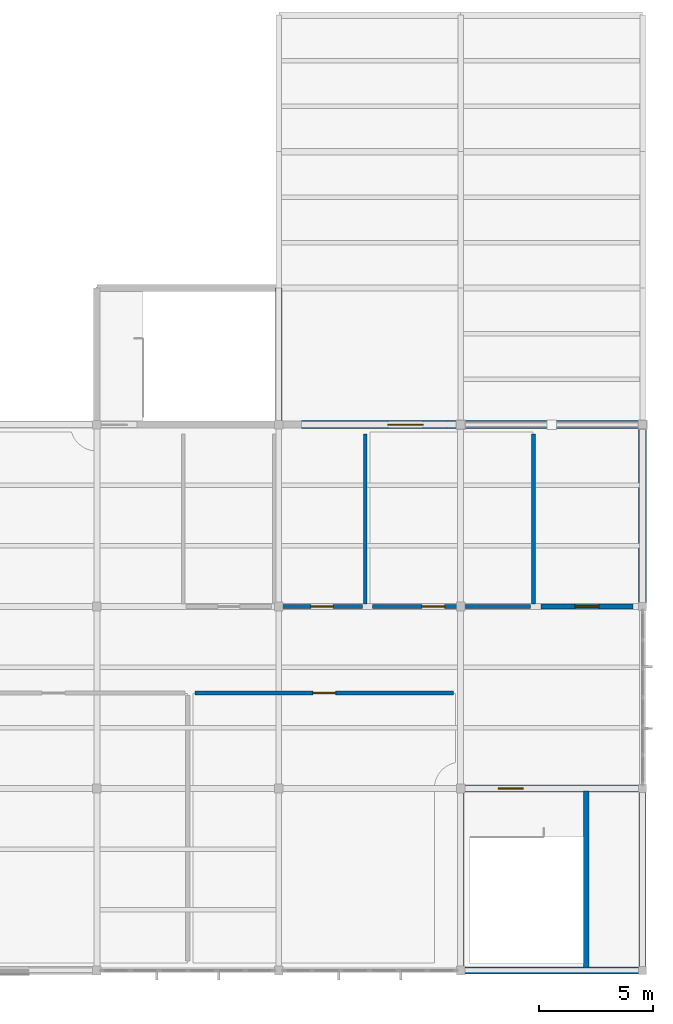
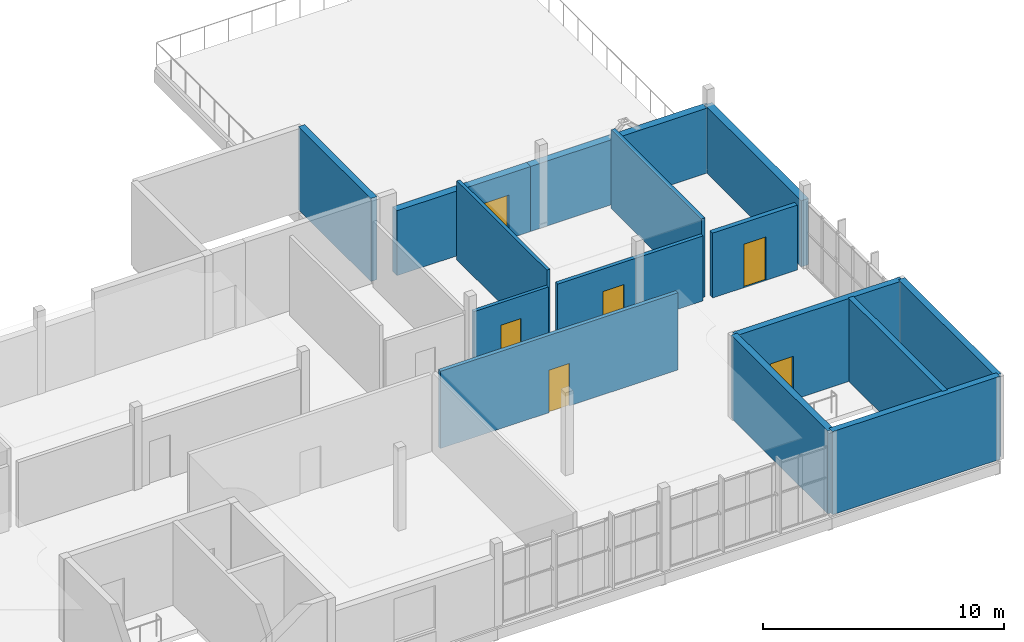
# One storey, part 10 of 15: 15 walls, 6 doors, 6 openings.
"""IFC4 building model written with IfcOpenShell, lengths in metres."""

import ifcopenshell
import ifcopenshell.guid

model = None  # the IFC model being written
_history = None  # IfcOwnerHistory: only IFC2X3 demands one
_inside = {}  # id of a spatial element -> (the spatial element, [elements in it])
_under = {}  # id of a project, library or spatial element -> (it, [spatial elements below it])
_declared = {}  # id of a project -> (the project, [libraries it declares])
_typed = {}  # id of a type object -> (the type object, [elements of that type])
_made_of = {}  # id of a material, layer set ... -> (it, [elements and type objects made of it])


def new_model(schema):
    """Start an empty IFC model of exactly this schema.

    Asked for "IFC4X3", IfcOpenShell would pick the latest addendum, in which some entities
    have other attributes; the version numbers below select the first issue.
    IFC2X3 requires an IfcOwnerHistory on every rooted entity: one is made here for all.
    """
    global model, _history
    if schema == "IFC4X3":
        model = ifcopenshell.file(schema_version=(4, 3, 0, 0))
    else:
        model = ifcopenshell.file(schema=schema)
    _inside.clear()
    _under.clear()
    _declared.clear()
    _typed.clear()
    _made_of.clear()
    _history = None
    if model.schema == "IFC2X3":
        org = make("IfcOrganization", Name="unknown")
        user = make(
            "IfcPersonAndOrganization",
            ThePerson=make("IfcPerson", FamilyName="unknown"),
            TheOrganization=org,
        )
        app = make(
            "IfcApplication",
            ApplicationDeveloper=org,
            Version="unknown",
            ApplicationFullName="unknown",
            ApplicationIdentifier="unknown",
        )
        _history = make(
            "IfcOwnerHistory",
            OwningUser=user,
            OwningApplication=app,
            ChangeAction="ADDED",
            CreationDate=0,
        )
    return model


def make(cls, **values):
    """One entity of the class cls with the attributes given. An attribute that is None is left unset."""
    return model.create_entity(
        cls, **{name: value for name, value in values.items() if value is not None}
    )


def rooted(cls, **values):
    """An entity with a GlobalId (a new one), such as an element, a storey or a relation."""
    return make(cls, GlobalId=ifcopenshell.guid.new(), OwnerHistory=_history, **values)


def si_unit(unit_type, name, prefix=None):
    """IfcSIUnit, for example si_unit("LENGTHUNIT", "METRE", prefix="MILLI")."""
    return make("IfcSIUnit", UnitType=unit_type, Prefix=prefix, Name=name)


def assignment(units):
    """IfcUnitAssignment: the units of a project."""
    return None if units is None else make("IfcUnitAssignment", Units=units)


def point(xyz):
    """IfcCartesianPoint."""
    return None if xyz is None else make("IfcCartesianPoint", Coordinates=xyz)


def direction(xyz):
    """IfcDirection."""
    return None if xyz is None else make("IfcDirection", DirectionRatios=xyz)


def frame(location, z_axis=None, x_axis=None):
    """IfcAxis2Placement3D, a coordinate frame: its origin and axes. An axis left out is left unset."""
    return make(
        "IfcAxis2Placement3D",
        Location=point(location),
        Axis=direction(z_axis),
        RefDirection=direction(x_axis),
    )


def frame_2d(location, x_axis=None):
    """IfcAxis2Placement2D, a coordinate frame in the plane: its origin and x axis."""
    return make(
        "IfcAxis2Placement2D", Location=point(location), RefDirection=direction(x_axis)
    )


def origin():
    """The frame at (0, 0, 0) with its axes left unset."""
    return frame((0.0, 0.0, 0.0))


def place(relative_to, where):
    """IfcLocalPlacement: puts the frame where relative to a parent placement (None: the world)."""
    return make(
        "IfcLocalPlacement", PlacementRelTo=relative_to, RelativePlacement=where
    )


def context(
    kind, dimensions, precision=None, world=None, true_north=None, identifier=None
):
    """IfcGeometricRepresentationContext, for example the 3D "Model" context."""
    return make(
        "IfcGeometricRepresentationContext",
        ContextIdentifier=identifier,
        ContextType=kind,
        CoordinateSpaceDimension=dimensions,
        Precision=precision,
        WorldCoordinateSystem=world,
        TrueNorth=true_north,
    )


def subcontext(parent, identifier, kind, view, scale=None):
    """IfcGeometricRepresentationSubContext, for example "Body" below "Model"."""
    return make(
        "IfcGeometricRepresentationSubContext",
        ContextIdentifier=identifier,
        ContextType=kind,
        ParentContext=parent,
        TargetScale=scale,
        TargetView=view,
    )


def project(units=None, contexts=None):
    """IfcProject with its units and contexts."""
    return rooted(
        "IfcProject",
        Name="project",
        RepresentationContexts=contexts,
        UnitsInContext=assignment(units),
    )


def spatial(cls, under=None, at=None, **own):
    """A site, building, storey or space (cls), placed at a placement, below another one or the project."""
    s = rooted(cls, ObjectPlacement=at, **own)
    if under is not None:
        _under.setdefault(under.id(), (under, []))[1].append(s)
    return s


def profile(cls, at=None, kind="AREA", **sizes):
    """A parametric profile (cls). Its sizes go by their IFC names, for example OverallWidth=200.0."""
    return make(cls, ProfileType=kind, Position=at, **sizes)


def rectangle(**sizes):
    """IfcRectangleProfileDef."""
    return profile("IfcRectangleProfileDef", **sizes)


def extrude(swept, where, along, depth):
    """IfcExtrudedAreaSolid: the profile swept, set in the frame where, extruded along a direction by depth."""
    return make(
        "IfcExtrudedAreaSolid",
        SweptArea=swept,
        Position=where,
        ExtrudedDirection=direction(along),
        Depth=depth,
    )


def shape(context_of_items, identifier, shape_type, items):
    """IfcShapeRepresentation: the items that make up one representation, for example the "Body"."""
    return make(
        "IfcShapeRepresentation",
        ContextOfItems=context_of_items,
        RepresentationIdentifier=identifier,
        RepresentationType=shape_type,
        Items=items,
    )


def material(Name=None, Category=None):
    """IfcMaterial."""
    return make("IfcMaterial", Name=Name, Category=Category)


def layer(
    of_material, thickness, ventilated=None, Name=None, Category=None, Priority=None
):
    """IfcMaterialLayer: one layer of a wall or slab, of a material (None: an air gap)."""
    return make(
        "IfcMaterialLayer",
        Material=of_material,
        LayerThickness=thickness,
        IsVentilated=ventilated,
        Name=Name,
        Category=Category,
        Priority=Priority,
    )


def layer_set(layers, Name=None):
    """IfcMaterialLayerSet."""
    return make("IfcMaterialLayerSet", MaterialLayers=layers, LayerSetName=Name)


def made_of(thing, what):
    """Note that an element or type object is made of a material, layer set ...; save() writes the relation."""
    if what is not None:
        _made_of.setdefault(what.id(), (what, []))[1].append(thing)
    return thing


def type_object(cls, material=None, **own):
    """A type object (cls), such as IfcWallType, which elements share."""
    return made_of(rooted(cls, **own), material)


def element(
    cls,
    number,
    at=None,
    inside=None,
    cuts=None,
    type_object=None,
    material=None,
    context=None,
    identifier="Body",
    shape_type=None,
    held_by="IfcProductDefinitionShape",
    body=None,
    shapes=None,
    **own,
):
    """One element of the class cls, such as IfcWall. Its Tag is "e" and its number.

    at: its placement. inside: the storey or other place that contains it. cuts: it is an
    opening in that element (IfcRelVoidsElement). A single representation is given by context,
    identifier, shape_type and body (its items); several are given by shapes. held_by: the class
    of the entity that holds the representations. save() writes the other relations.
    """
    e = rooted(cls, Tag="e%d" % number, ObjectPlacement=at, **own)
    if body is not None:
        shapes = [shape(context, identifier, shape_type, body)]
    if shapes is not None:
        e.Representation = make(held_by, Representations=shapes)
    if inside is not None:
        _inside.setdefault(inside.id(), (inside, []))[1].append(e)
    if cuts is not None:
        rooted(
            "IfcRelVoidsElement", RelatingBuildingElement=cuts, RelatedOpeningElement=e
        )
    if type_object is not None:
        _typed.setdefault(type_object.id(), (type_object, []))[1].append(e)
    return made_of(e, material)


def fill(opening, filler):
    """IfcRelFillsElement: the door or window that sits in an opening."""
    return rooted(
        "IfcRelFillsElement",
        RelatingOpeningElement=opening,
        RelatedBuildingElement=filler,
    )


def aggregate(whole, parts):
    """IfcRelAggregates: a whole, such as a stair, and the parts it consists of."""
    return rooted("IfcRelAggregates", RelatingObject=whole, RelatedObjects=parts)


def save(model, path):
    """Write the relations noted so far, then the file.

    IfcRelAggregates (storeys below a building ...), IfcRelContainedInSpatialStructure (elements
    in a storey), IfcRelDefinesByType, IfcRelAssociatesMaterial and IfcRelDeclares: one each for
    every whole, place, type object, material and project.
    """
    for whole, parts in _under.values():
        aggregate(whole, parts)
    for where, things in _inside.values():
        rooted(
            "IfcRelContainedInSpatialStructure",
            RelatedElements=things,
            RelatingStructure=where,
        )
    for kind, things in _typed.values():
        rooted("IfcRelDefinesByType", RelatedObjects=things, RelatingType=kind)
    for what, things in _made_of.values():
        rooted("IfcRelAssociatesMaterial", RelatedObjects=things, RelatingMaterial=what)
    for by, libraries in _declared.values():
        rooted("IfcRelDeclares", RelatingContext=by, RelatedDefinitions=libraries)
    model.write(path)


model = new_model("IFC4")

# Units and contexts
model_context = context("Model", 3, precision=1e-05, world=origin(), true_north=direction((0.0, 1.0)))
body_context = subcontext(model_context, "Body", "Model", "MODEL_VIEW")
ifc_project = project(units=[si_unit("LENGTHUNIT", "METRE"), si_unit("AREAUNIT", "SQUARE_METRE"), si_unit("VOLUMEUNIT", "CUBIC_METRE"), si_unit("PLANEANGLEUNIT", "RADIAN"), si_unit("MASSUNIT", "GRAM", prefix="KILO")], contexts=[model_context])

# Site, building, storey
site_placement = place(None, origin())
site = spatial("IfcSite", under=ifc_project, at=site_placement, CompositionType="ELEMENT")
building_placement = place(site_placement, origin())
building = spatial("IfcBuilding", under=site, at=building_placement, Name="Solvane Community Centre", CompositionType="ELEMENT")
storey_placement = place(building_placement, frame((0.0, 0.0, 18.0)))
storey = spatial("IfcBuildingStorey", under=building, at=storey_placement, Name="L04", CompositionType="ELEMENT", Elevation=18.0)

# Wall, opening, door
ifc_material_1 = material(Name="Precast concrete C35/45", Category="concrete")
ifc_layer_1 = layer(ifc_material_1, 0.35009765625)
ifc_layer_set_1 = layer_set([ifc_layer_1], Name="Precast concrete C35/45")
wall_type_1 = type_object("IfcWallType", Name="Art Deco Limestone Cavity Wall 350mm [64x33dm]", PredefinedType="SOLIDWALL", material=ifc_layer_set_1)
wall_1_placement = place(storey_placement, frame((125.0, 30.0, 0.0), z_axis=(0.0, 0.0, 1.0), x_axis=(1.0, 0.0, 0.0)))
wall_1 = element("IfcWall", 1, at=wall_1_placement, inside=storey, type_object=wall_type_1, Name="Exterior Wall WL-EXT-L04-0169", PredefinedType="SOLIDWALL", context=body_context, shape_type="SweptSolid", body=[
    extrude(rectangle(XDim=6.39990234375, YDim=0.35009765625, at=frame_2d((3.199951171875, 0.0))), origin(), (0.0, 0.0, 1.0), 3.284912109375),
])
opening_1_placement = place(wall_1_placement, frame((3.800048828125, 0.0, 0.0)))
opening_1 = element("IfcOpeningElement", 2, at=opening_1_placement, cuts=wall_1, Name="Opening D08", PredefinedType="OPENING", context=body_context, shape_type="SweptSolid", body=[
    extrude(rectangle(XDim=1.550048828125, YDim=2.199951171875, at=frame_2d((0.77490234375, 1.10009765625))), frame((0.0, 0.18505859375, 0.0), z_axis=(0.0, -1.0, 0.0), x_axis=(1.0, 0.0, 0.0)), (0.0, 0.0, 1.0), 0.3701171875),
])
ifc_material_2 = material(Name="Anodised bronze aluminium AW-6063 T6", Category="aluminium")
door_type_1 = type_object("IfcDoorType", Name="Upper Terrace Glazed Pair 1550x2200", OperationType="NOTDEFINED", PredefinedType="DOOR", material=ifc_material_2)
door_1_placement = place(opening_1_placement, origin())
door_1 = element("IfcDoor", 3, at=door_1_placement, inside=storey, type_object=door_type_1, Name="L04-ED35", OperationType="SINGLE_SWING_LEFT", OverallHeight=2.199951171875, OverallWidth=1.550048828125, PredefinedType="DOOR", context=body_context, shape_type="SweptSolid", body=[
    extrude(rectangle(XDim=1.550048828125, YDim=2.199951171875, at=frame_2d((0.77490234375, 1.10009765625))), frame((0.0, 0.02490234375, 0.0), z_axis=(0.0, -1.0, 0.0), x_axis=(1.0, 0.0, 0.0)), (0.0, 0.0, 1.0), 0.050048828125),
])
fill(opening_1, door_1)

# Walls
ifc_layer_2 = layer(ifc_material_1, 0.35009765625)
ifc_layer_set_2 = layer_set([ifc_layer_2], Name="Precast concrete C35/45")
wall_type_2 = type_object("IfcWallType", Name="Art Deco Limestone Cavity Wall 350mm [80x33dm]", PredefinedType="SOLIDWALL", material=ifc_layer_set_2)
wall_2_placement = place(storey_placement, frame((140.0, 30.0, 0.0), z_axis=(0.0, 0.0, 1.0), x_axis=(0.0, -1.0, 0.0)))
element("IfcWall", 4, at=wall_2_placement, inside=storey, type_object=wall_type_2, Name="Exterior Wall WL-EXT-L04-0171", PredefinedType="SOLIDWALL", context=body_context, shape_type="SweptSolid", body=[
    extrude(rectangle(XDim=8.0, YDim=0.35009765625, at=frame_2d((4.0, 0.0))), origin(), (0.0, 0.0, 1.0), 3.344970703125),
])
ifc_layer_3 = layer(ifc_material_1, 0.35009765625)
ifc_layer_set_3 = layer_set([ifc_layer_3], Name="Precast concrete C35/45")
wall_type_3 = type_object("IfcWallType", Name="Art Deco Limestone Cavity Wall 350mm [86x33dm]", PredefinedType="SOLIDWALL", material=ifc_layer_set_3)
wall_3_placement = place(storey_placement, frame((131.39990234375, 30.0, 0.0), z_axis=(0.0, 0.0, 1.0), x_axis=(1.0, 0.0, 0.0)))
element("IfcWall", 5, at=wall_3_placement, inside=storey, type_object=wall_type_3, Name="Exterior Wall WL-EXT-L04-0170", PredefinedType="SOLIDWALL", context=body_context, shape_type="SweptSolid", body=[
    extrude(rectangle(XDim=8.60009765625, YDim=0.35009765625, at=frame_2d((4.300048828125, 0.0))), origin(), (0.0, 0.0, 1.0), 3.284912109375),
])

# Wall, opening, door
ifc_material_3 = material(Name="Terracotta clay masonry", Category="masonry")
ifc_layer_4 = layer(ifc_material_3, 0.219970703125)
ifc_layer_set_4 = layer_set([ifc_layer_4], Name="Terracotta clay masonry")
wall_type_4 = type_object("IfcWallType", Name="Masonry Compartment Wall 220mm [41x33dm]", PredefinedType="SOLIDWALL", material=ifc_layer_set_4)
wall_4_placement = place(storey_placement, frame((135.52001953125, 22.0, 0.0), z_axis=(0.0, 0.0, 1.0), x_axis=(1.0, 0.0, 0.0)))
wall_4 = element("IfcWall", 6, at=wall_4_placement, inside=storey, type_object=wall_type_4, Name="Interior Wall WL-INT-L04-0372", PredefinedType="SOLIDWALL", context=body_context, shape_type="SweptSolid", body=[
    extrude(rectangle(XDim=4.06005859375, YDim=0.219970703125, at=frame_2d((2.030029296875, 0.0))), origin(), (0.0, 0.0, 1.0), 3.284912109375),
])
opening_2_placement = place(wall_4_placement, frame((1.5048828125, 0.0, 0.0)))
opening_2 = element("IfcOpeningElement", 7, at=opening_2_placement, cuts=wall_4, Name="Opening FD01", PredefinedType="OPENING", context=body_context, shape_type="SweptSolid", body=[
    extrude(rectangle(XDim=1.050048828125, YDim=2.199951171875, at=frame_2d((0.52490234375, 1.10009765625))), frame((0.0, 0.119873046875, 0.0), z_axis=(0.0, -1.0, 0.0), x_axis=(1.0, 0.0, 0.0)), (0.0, 0.0, 1.0), 0.239990234375),
])
door_type_2 = type_object("IfcDoorType", Name="Compartment Fire Door 1050x2200", OperationType="NOTDEFINED", PredefinedType="DOOR", material=ifc_material_2)
door_2_placement = place(opening_2_placement, origin())
door_2 = element("IfcDoor", 8, at=door_2_placement, inside=storey, type_object=door_type_2, Name="L04-D151", OperationType="SINGLE_SWING_LEFT", OverallHeight=2.199951171875, OverallWidth=1.050048828125, PredefinedType="DOOR", context=body_context, shape_type="SweptSolid", body=[
    extrude(rectangle(XDim=1.050048828125, YDim=2.199951171875, at=frame_2d((0.52490234375, 1.10009765625))), frame((0.0, 0.02490234375, 0.0), z_axis=(0.0, -1.0, 0.0), x_axis=(1.0, 0.0, 0.0)), (0.0, 0.0, 1.0), 0.050048828125),
])
fill(opening_2, door_2)

ifc_material_4 = material(Name="Gypsum board partition")
ifc_layer_5 = layer(ifc_material_4, 0.179931640625)
ifc_layer_set_5 = layer_set([ifc_layer_5], Name="Gypsum board partition")
wall_type_5 = type_object("IfcWallType", Name="Protected Corridor Wall 180mm [114x39dm]", PredefinedType="PARTITIONING", material=ifc_layer_set_5)
wall_5_placement = place(storey_placement, frame((131.679931640625, 18.199951171875, 0.0), z_axis=(0.0, 0.0, 1.0), x_axis=(-1.0, 0.0, 0.0)))
wall_5 = element("IfcWall", 9, at=wall_5_placement, inside=storey, type_object=wall_type_5, Name="Interior Wall WL-INT-L04-0360", PredefinedType="PARTITIONING", context=body_context, shape_type="SweptSolid", body=[
    extrude(rectangle(XDim=11.35986328125, YDim=0.179931640625, at=frame_2d((5.679931640625, 0.0))), origin(), (0.0, 0.0, 1.0), 3.905029296875),
])
opening_3_placement = place(wall_5_placement, frame((5.179931640625, 0.0, 0.0)))
opening_3 = element("IfcOpeningElement", 10, at=opening_3_placement, cuts=wall_5, Name="Opening ID01", PredefinedType="OPENING", context=body_context, shape_type="SweptSolid", body=[
    extrude(rectangle(XDim=1.0, YDim=2.14990234375, at=frame_2d((0.5, 1.074951171875))), frame((0.0, 0.099853515625, 0.0), z_axis=(0.0, -1.0, 0.0), x_axis=(1.0, 0.0, 0.0)), (0.0, 0.0, 1.0), 0.199951171875),
])
door_type_3 = type_object("IfcDoorType", Name="Corridor Rated Classroom Door 1000x2150", OperationType="NOTDEFINED", PredefinedType="DOOR", material=ifc_material_2)
door_3_placement = place(opening_3_placement, origin())
door_3 = element("IfcDoor", 11, at=door_3_placement, inside=storey, type_object=door_type_3, Name="L04-D145", OperationType="SINGLE_SWING_LEFT", OverallHeight=2.14990234375, OverallWidth=1.0, PredefinedType="DOOR", context=body_context, shape_type="SweptSolid", body=[
    extrude(rectangle(XDim=1.0, YDim=2.14990234375, at=frame_2d((0.5, 1.074951171875))), frame((0.0, 0.02490234375, 0.0), z_axis=(0.0, -1.0, 0.0), x_axis=(1.0, 0.0, 0.0)), (0.0, 0.0, 1.0), 0.050048828125),
])
fill(opening_3, door_3)

ifc_layer_6 = layer(ifc_material_4, 0.179931640625)
ifc_layer_set_6 = layer_set([ifc_layer_6], Name="Gypsum board partition")
wall_type_6 = type_object("IfcWallType", Name="Protected Corridor Wall 180mm [70x33dm]", PredefinedType="PARTITIONING", material=ifc_layer_set_6)
wall_6_placement = place(storey_placement, frame((128.1201171875, 22.0, 0.0), z_axis=(0.0, 0.0, 1.0), x_axis=(1.0, 0.0, 0.0)))
wall_6 = element("IfcWall", 12, at=wall_6_placement, inside=storey, type_object=wall_type_6, Name="Interior Wall WL-INT-L04-0370", PredefinedType="PARTITIONING", context=body_context, shape_type="SweptSolid", body=[
    extrude(rectangle(XDim=6.9599609375, YDim=0.179931640625, at=frame_2d((3.47998046875, 0.0))), origin(), (0.0, 0.0, 1.0), 3.284912109375),
])
opening_4_placement = place(wall_6_placement, frame((2.176025390625, 0.0, 0.0)))
opening_4 = element("IfcOpeningElement", 13, at=opening_4_placement, cuts=wall_6, Name="Opening ID01", PredefinedType="OPENING", context=body_context, shape_type="SweptSolid", body=[
    extrude(rectangle(XDim=1.0, YDim=2.14990234375, at=frame_2d((0.5, 1.074951171875))), frame((0.0, 0.099853515625, 0.0), z_axis=(0.0, -1.0, 0.0), x_axis=(1.0, 0.0, 0.0)), (0.0, 0.0, 1.0), 0.199951171875),
])
door_4_placement = place(opening_4_placement, origin())
door_4 = element("IfcDoor", 14, at=door_4_placement, inside=storey, type_object=door_type_3, Name="L04-D150", OperationType="SINGLE_SWING_RIGHT", OverallHeight=2.14990234375, OverallWidth=1.0, PredefinedType="DOOR", context=body_context, shape_type="SweptSolid", body=[
    extrude(rectangle(XDim=1.0, YDim=2.14990234375, at=frame_2d((0.5, 1.074951171875))), frame((0.0, 0.02490234375, 0.0), z_axis=(0.0, -1.0, 0.0), x_axis=(1.0, 0.0, 0.0)), (0.0, 0.0, 1.0), 0.050048828125),
])
fill(opening_4, door_4)

# Walls
ifc_layer_7 = layer(ifc_material_4, 0.179931640625)
ifc_layer_set_7 = layer_set([ifc_layer_7], Name="Gypsum board partition")
wall_type_7 = type_object("IfcWallType", Name="Protected Corridor Wall 180mm [75x40dm]", PredefinedType="PARTITIONING", material=ifc_layer_set_7)
wall_7_placement = place(storey_placement, frame((135.199951171875, 22.1201171875, 0.0), z_axis=(0.0, 0.0, 1.0), x_axis=(0.0, 1.0, 0.0)))
element("IfcWall", 15, at=wall_7_placement, inside=storey, type_object=wall_type_7, Name="Interior Wall WL-INT-L04-0371", PredefinedType="PARTITIONING", context=body_context, shape_type="SweptSolid", body=[
    extrude(rectangle(XDim=7.4599609375, YDim=0.179931640625, at=frame_2d((3.72998046875, 0.0))), origin(), (0.0, 0.0, 1.0), 4.0),
])
ifc_material_5 = material(Name="Concrete C35/45", Category="concrete")
ifc_layer_8 = layer(ifc_material_5, 0.300048828125)
ifc_layer_set_8 = layer_set([ifc_layer_8], Name="Concrete C35/45")
wall_type_8 = type_object("IfcWallType", Name="RC Core Shear Wall 300mm [60x42dm]", PredefinedType="SHEAR", material=ifc_layer_set_8)
wall_8_placement = place(storey_placement, frame((124.0, 36.0, 0.0), z_axis=(0.0, 0.0, 1.0), x_axis=(0.0, -1.0, 0.0)))
element("IfcWall", 16, at=wall_8_placement, inside=storey, type_object=wall_type_8, Name="Interior Wall WL-INT-L04-0088", PredefinedType="SHEAR", context=body_context, shape_type="SweptSolid", body=[
    extrude(rectangle(XDim=6.0, YDim=0.300048828125, at=frame_2d((3.0, 0.0))), origin(), (0.0, 0.0, 1.0), 4.199951171875),
])
ifc_layer_9 = layer(ifc_material_5, 0.300048828125)
ifc_layer_set_9 = layer_set([ifc_layer_9], Name="Concrete C35/45")
wall_type_9 = type_object("IfcWallType", Name="RC Core Shear Wall 300mm [80x42dm]", PredefinedType="SHEAR", material=ifc_layer_set_9)
wall_9_placement = place(storey_placement, frame((132.0, 6.0, 0.0), z_axis=(0.0, 0.0, 1.0), x_axis=(0.0, 1.0, 0.0)))
element("IfcWall", 17, at=wall_9_placement, inside=storey, type_object=wall_type_9, Name="Interior Wall WL-INT-L04-0069", PredefinedType="SHEAR", context=body_context, shape_type="SweptSolid", body=[
    extrude(rectangle(XDim=8.0, YDim=0.300048828125, at=frame_2d((4.0, 0.0))), origin(), (0.0, 0.0, 1.0), 4.199951171875),
])

# Wall, opening, door
wall_10_placement = place(storey_placement, frame((132.0, 14.0, 0.0), z_axis=(0.0, 0.0, 1.0), x_axis=(1.0, 0.0, 0.0)))
wall_10 = element("IfcWall", 18, at=wall_10_placement, inside=storey, type_object=wall_type_9, Name="Interior Wall WL-INT-L04-0070", PredefinedType="SHEAR", context=body_context, shape_type="SweptSolid", body=[
    extrude(rectangle(XDim=8.0, YDim=0.300048828125, at=frame_2d((4.0, 0.0))), origin(), (0.0, 0.0, 1.0), 4.199951171875),
])
opening_5_placement = place(wall_10_placement, frame((1.64990234375, 0.0, 0.0)))
opening_5 = element("IfcOpeningElement", 19, at=opening_5_placement, cuts=wall_10, Name="Opening SD02", PredefinedType="OPENING", context=body_context, shape_type="SweptSolid", body=[
    extrude(rectangle(XDim=1.10009765625, YDim=2.199951171875, at=frame_2d((0.550048828125, 1.10009765625))), frame((0.0, 0.159912109375, 0.0), z_axis=(0.0, -1.0, 0.0), x_axis=(1.0, 0.0, 0.0)), (0.0, 0.0, 1.0), 0.320068359375),
])
door_type_4 = type_object("IfcDoorType", Name="Core Stair Fire Door 1100x2200", OperationType="NOTDEFINED", PredefinedType="DOOR", material=ifc_material_2)
door_5_placement = place(opening_5_placement, origin())
door_5 = element("IfcDoor", 20, at=door_5_placement, inside=storey, type_object=door_type_4, Name="L04-D027", OperationType="SINGLE_SWING_LEFT", OverallHeight=2.199951171875, OverallWidth=1.10009765625, PredefinedType="DOOR", context=body_context, shape_type="SweptSolid", body=[
    extrude(rectangle(XDim=1.10009765625, YDim=2.199951171875, at=frame_2d((0.550048828125, 1.10009765625))), frame((0.0, 0.02490234375, 0.0), z_axis=(0.0, -1.0, 0.0), x_axis=(1.0, 0.0, 0.0)), (0.0, 0.0, 1.0), 0.050048828125),
])
fill(opening_5, door_5)

# Walls
ifc_layer_10 = layer(ifc_material_5, 0.300048828125)
ifc_layer_set_10 = layer_set([ifc_layer_10], Name="Concrete C35/45")
wall_type_10 = type_object("IfcWallType", Name="RC Exterior Core Strip Wall 300mm [80x33dm]", PredefinedType="SOLIDWALL", material=ifc_layer_set_10)
wall_11_placement = place(storey_placement, frame((140.0, 14.0, 0.0), z_axis=(0.0, 0.0, 1.0), x_axis=(0.0, -1.0, 0.0)))
element("IfcWall", 21, at=wall_11_placement, inside=storey, type_object=wall_type_10, Name="Exterior Wall WL-EXT-L04-0172", PredefinedType="SOLIDWALL", context=body_context, shape_type="SweptSolid", body=[
    extrude(rectangle(XDim=8.0, YDim=0.300048828125, at=frame_2d((4.0, 0.0))), origin(), (0.0, 0.0, 1.0), 4.199951171875),
])
ifc_layer_11 = layer(ifc_material_5, 0.300048828125)
ifc_layer_set_11 = layer_set([ifc_layer_11], Name="Concrete C35/45")
wall_type_11 = type_object("IfcWallType", Name="RC Exterior Core Strip Wall 300mm [80x35dm]", PredefinedType="SOLIDWALL", material=ifc_layer_set_11)
wall_12_placement = place(storey_placement, frame((140.0, 6.0, 0.0), z_axis=(0.0, 0.0, 1.0), x_axis=(-1.0, 0.0, 0.0)))
element("IfcWall", 22, at=wall_12_placement, inside=storey, type_object=wall_type_11, Name="Exterior Wall WL-EXT-L04-0156", PredefinedType="SOLIDWALL", context=body_context, shape_type="SweptSolid", body=[
    extrude(rectangle(XDim=8.0, YDim=0.300048828125, at=frame_2d((4.0, 0.0))), origin(), (0.0, 0.0, 1.0), 4.199951171875),
])
ifc_layer_12 = layer(ifc_material_5, 0.25)
ifc_layer_set_12 = layer_set([ifc_layer_12], Name="Concrete C35/45")
wall_type_12 = type_object("IfcWallType", Name="RC Lift Shaft Wall 250mm [78x42dm]", PredefinedType="SHEAR", material=ifc_layer_set_12)
wall_13_placement = place(storey_placement, frame((137.52001953125, 6.10009765625, 0.0), z_axis=(0.0, 0.0, 1.0), x_axis=(0.0, 1.0, 0.0)))
element("IfcWall", 23, at=wall_13_placement, inside=storey, type_object=wall_type_12, Name="Interior Wall WL-INT-L04-0071", PredefinedType="SHEAR", context=body_context, shape_type="SweptSolid", body=[
    extrude(rectangle(XDim=7.7998046875, YDim=0.25, at=frame_2d((3.89990234375, 0.0))), origin(), (0.0, 0.0, 1.0), 4.199951171875),
])

# Wall, opening, door
ifc_layer_13 = layer(ifc_material_4, 0.159912109375)
ifc_layer_set_13 = layer_set([ifc_layer_13], Name="Gypsum board partition")
wall_type_13 = type_object("IfcWallType", Name="Sanitary Plumbing Chase Wall 160mm [36x33dm]", PredefinedType="PLUMBINGWALL", material=ifc_layer_set_13)
wall_14_placement = place(storey_placement, frame((124.1201171875, 22.0, 0.0), z_axis=(0.0, 0.0, 1.0), x_axis=(1.0, 0.0, 0.0)))
wall_14 = element("IfcWall", 24, at=wall_14_placement, inside=storey, type_object=wall_type_13, Name="Interior Wall WL-INT-L04-0368", PredefinedType="PLUMBINGWALL", context=body_context, shape_type="SweptSolid", body=[
    extrude(rectangle(XDim=3.559814453125, YDim=0.159912109375, at=frame_2d((1.77978515625, 0.0))), origin(), (0.0, 0.0, 1.0), 3.284912109375),
])
opening_6_placement = place(wall_14_placement, frame((1.304931640625, 0.0, 0.0)))
opening_6 = element("IfcOpeningElement", 25, at=opening_6_placement, cuts=wall_14, Name="Opening ID03", PredefinedType="OPENING", context=body_context, shape_type="SweptSolid", body=[
    extrude(rectangle(XDim=0.949951171875, YDim=2.14990234375, at=frame_2d((0.47509765625, 1.074951171875))), frame((0.0, 0.08984375, 0.0), z_axis=(0.0, -1.0, 0.0), x_axis=(1.0, 0.0, 0.0)), (0.0, 0.0, 1.0), 0.179931640625),
])
door_type_5 = type_object("IfcDoorType", Name="Accessible Sanitary Door 950x2150", OperationType="NOTDEFINED", PredefinedType="DOOR", material=ifc_material_2)
door_6_placement = place(opening_6_placement, origin())
door_6 = element("IfcDoor", 26, at=door_6_placement, inside=storey, type_object=door_type_5, Name="L04-D149", OperationType="SINGLE_SWING_LEFT", OverallHeight=2.14990234375, OverallWidth=0.949951171875, PredefinedType="DOOR", context=body_context, shape_type="SweptSolid", body=[
    extrude(rectangle(XDim=0.949951171875, YDim=2.14990234375, at=frame_2d((0.47509765625, 1.074951171875))), frame((0.0, 0.02490234375, 0.0), z_axis=(0.0, -1.0, 0.0), x_axis=(1.0, 0.0, 0.0)), (0.0, 0.0, 1.0), 0.050048828125),
])
fill(opening_6, door_6)

# Wall
ifc_layer_14 = layer(ifc_material_4, 0.159912109375)
ifc_layer_set_14 = layer_set([ifc_layer_14], Name="Gypsum board partition")
wall_type_14 = type_object("IfcWallType", Name="Sanitary Plumbing Chase Wall 160mm [75x40dm]", PredefinedType="PLUMBINGWALL", material=ifc_layer_set_14)
wall_15_placement = place(storey_placement, frame((127.800048828125, 22.1201171875, 0.0), z_axis=(0.0, 0.0, 1.0), x_axis=(0.0, 1.0, 0.0)))
element("IfcWall", 27, at=wall_15_placement, inside=storey, type_object=wall_type_14, Name="Interior Wall WL-INT-L04-0369", PredefinedType="PLUMBINGWALL", context=body_context, shape_type="SweptSolid", body=[
    extrude(rectangle(XDim=7.4599609375, YDim=0.159912109375, at=frame_2d((3.72998046875, 0.0))), origin(), (0.0, 0.0, 1.0), 4.0),
])

save(model, "model.ifc")
